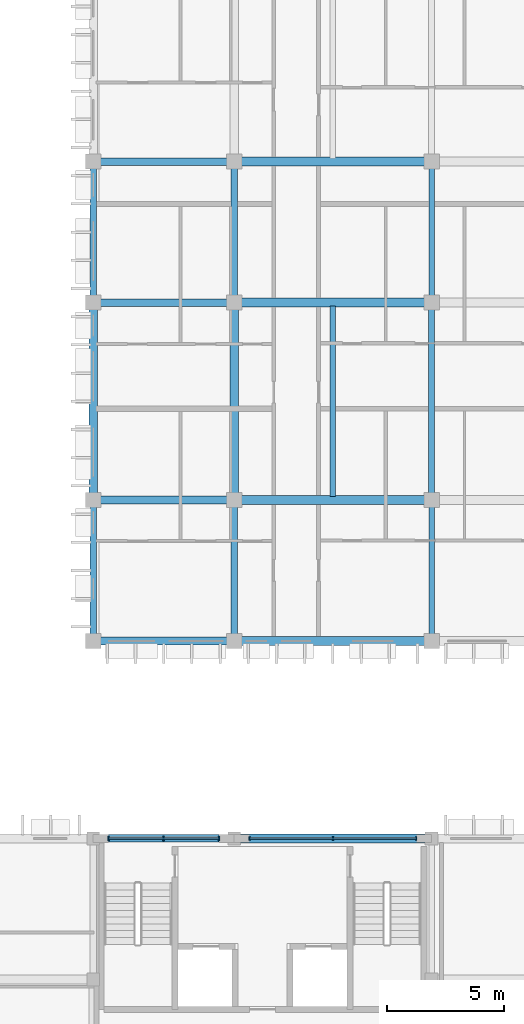
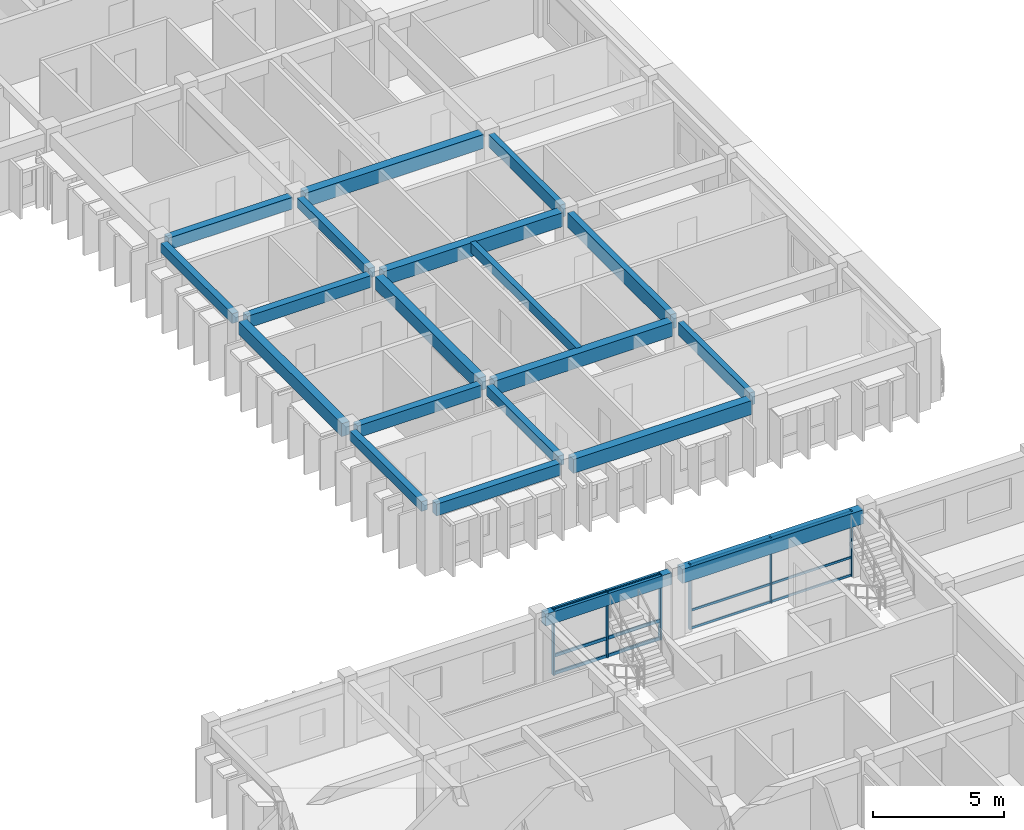
# One storey, part 29 of 101: 20 beams, 12 members, 2 elements without a shape of their own.
"""IFC4 building model written with IfcOpenShell, lengths in metres."""

from ifc_helpers import new_model, si_unit, direction, frame, origin, origin_2d, place, context, subcontext, project, spatial, rectangle, extrude, material, material_profile, profile_set, type_object, element, aggregate, save


model = new_model("IFC4")

# Units and contexts
model_context = context("Model", 3, precision=1e-05, world=origin(), true_north=direction((0.0, 1.0)))
body_context = subcontext(model_context, "Body", "Model", "MODEL_VIEW")
ifc_project = project(units=[si_unit("LENGTHUNIT", "METRE"), si_unit("AREAUNIT", "SQUARE_METRE"), si_unit("VOLUMEUNIT", "CUBIC_METRE"), si_unit("PLANEANGLEUNIT", "RADIAN"), si_unit("MASSUNIT", "GRAM", prefix="KILO"), si_unit("THERMODYNAMICTEMPERATUREUNIT", "KELVIN")], contexts=[model_context])

# Site, building, storey
site_placement = place(None, origin())
site = spatial("IfcSite", under=ifc_project, at=site_placement, CompositionType="ELEMENT")
building_placement = place(site_placement, origin())
building = spatial("IfcBuilding", under=site, at=building_placement, Name="Thalorik Housing Commons", CompositionType="ELEMENT")
storey_placement = place(building_placement, frame((0.0, 0.0, 8.10009765625)))
storey = spatial("IfcBuildingStorey", under=building, at=storey_placement, Name="L02", CompositionType="ELEMENT", Elevation=8.10009765625)

# Curtain wall, members
ifc_material_1 = material(Name="Anodised aluminium and solar-control low-E glass", Category="aluminium")
curtain_wall_type = type_object("IfcCurtainWallType", Name="ARC-CW-CORE", PredefinedType="USERDEFINED", material=ifc_material_1)
curtain_wall_1_placement = place(storey_placement, origin())
curtain_wall_1 = element("IfcCurtainWall", 1, at=curtain_wall_1_placement, inside=storey, type_object=curtain_wall_type, Name="L02 Curtain Wall CW-CORE-L02-D-180", ObjectType="CURTAIN WALL", PredefinedType="USERDEFINED")
ifc_material_2 = material(Name="Anodised aluminium 6063-T6", Category="aluminium")
ifc_material_profile_1 = material_profile(ifc_material_2, rectangle(XDim=0.054931640625, YDim=0.139892578125, at=origin_2d()), Name="ALU MUL 55x140", Category="aluminium")
ifc_profile_set_1 = profile_set([ifc_material_profile_1], Name="Anodised aluminium 6063-T6")
member_type_1 = type_object("IfcMemberType", Name="ARC-CW-MUL-55x140", PredefinedType="MULLION", material=ifc_profile_set_1)
member_1_placement = place(storey_placement, frame((166.14990234375, 72.0, 0.0), z_axis=(0.0, 0.0, 1.0), x_axis=(-1.0, 0.0, 0.0)))
member_1 = element("IfcMember", 2, at=member_1_placement, type_object=member_type_1, Name="CW-CORE-L02-D-180 Mullion 1", PredefinedType="MULLION", context=body_context, shape_type="SweptSolid", body=[
    extrude(rectangle(XDim=0.054931640625, YDim=0.139892578125, at=origin_2d()), origin(), (0.0, 0.0, 1.0), 3.039794921875),
])
member_2_placement = place(storey_placement, frame((162.60009765625, 72.0, 0.0), z_axis=(0.0, 0.0, 1.0), x_axis=(-1.0, 0.0, 0.0)))
member_2 = element("IfcMember", 3, at=member_2_placement, type_object=member_type_1, Name="CW-CORE-L02-D-180 Mullion 2", PredefinedType="MULLION", context=body_context, shape_type="SweptSolid", body=[
    extrude(rectangle(XDim=0.054931640625, YDim=0.139892578125, at=origin_2d()), origin(), (0.0, 0.0, 1.0), 3.039794921875),
])
member_3_placement = place(storey_placement, frame((159.050048828125, 72.0, 0.0), z_axis=(0.0, 0.0, 1.0), x_axis=(-1.0, 0.0, 0.0)))
member_3 = element("IfcMember", 4, at=member_3_placement, type_object=member_type_1, Name="CW-CORE-L02-D-180 Mullion 3", PredefinedType="MULLION", context=body_context, shape_type="SweptSolid", body=[
    extrude(rectangle(XDim=0.054931640625, YDim=0.139892578125, at=origin_2d()), origin(), (0.0, 0.0, 1.0), 3.039794921875),
])

curtain_wall_2_placement = place(storey_placement, origin())
curtain_wall_2 = element("IfcCurtainWall", 5, at=curtain_wall_2_placement, inside=storey, type_object=curtain_wall_type, Name="L02 Curtain Wall CW-CORE-L02-D-181", ObjectType="CURTAIN WALL", PredefinedType="USERDEFINED")
ifc_material_profile_2 = material_profile(ifc_material_2, rectangle(XDim=0.06494140625, YDim=0.179931640625, at=origin_2d()), Name="ALU MUL 65x180", Category="aluminium")
ifc_profile_set_2 = profile_set([ifc_material_profile_2], Name="Anodised aluminium 6063-T6")
member_type_2 = type_object("IfcMemberType", Name="ARC-CW-MUL-65x180", PredefinedType="MULLION", material=ifc_profile_set_2)
member_4_placement = place(storey_placement, frame((157.75, 72.0, 0.0), z_axis=(0.0, 0.0, 1.0), x_axis=(-1.0, 0.0, 0.0)))
member_4 = element("IfcMember", 6, at=member_4_placement, type_object=member_type_2, Name="CW-CORE-L02-D-181 Mullion 1", PredefinedType="MULLION", context=body_context, shape_type="SweptSolid", body=[
    extrude(rectangle(XDim=0.06494140625, YDim=0.179931640625, at=origin_2d()), origin(), (0.0, 0.0, 1.0), 3.039794921875),
])
member_5_placement = place(storey_placement, frame((155.39990234375, 72.0, 0.0), z_axis=(0.0, 0.0, 1.0), x_axis=(-1.0, 0.0, 0.0)))
member_5 = element("IfcMember", 7, at=member_5_placement, type_object=member_type_2, Name="CW-CORE-L02-D-181 Mullion 2", PredefinedType="MULLION", context=body_context, shape_type="SweptSolid", body=[
    extrude(rectangle(XDim=0.06494140625, YDim=0.179931640625, at=origin_2d()), origin(), (0.0, 0.0, 1.0), 3.039794921875),
])
member_6_placement = place(storey_placement, frame((153.050048828125, 72.0, 0.0), z_axis=(0.0, 0.0, 1.0), x_axis=(-1.0, 0.0, 0.0)))
member_6 = element("IfcMember", 8, at=member_6_placement, type_object=member_type_2, Name="CW-CORE-L02-D-181 Mullion 3", PredefinedType="MULLION", context=body_context, shape_type="SweptSolid", body=[
    extrude(rectangle(XDim=0.06494140625, YDim=0.179931640625, at=origin_2d()), origin(), (0.0, 0.0, 1.0), 3.039794921875),
])

# Member
ifc_material_profile_3 = material_profile(ifc_material_2, rectangle(XDim=0.054931640625, YDim=0.10498046875, at=origin_2d()), Name="ALU TRN 55x105", Category="aluminium")
ifc_profile_set_3 = profile_set([ifc_material_profile_3], Name="Anodised aluminium 6063-T6")
member_type_3 = type_object("IfcMemberType", Name="ARC-CW-TRN-55x105", PredefinedType="USERDEFINED", material=ifc_profile_set_3)
member_7_placement = place(storey_placement, frame((166.14990234375, 72.0, 0.054931640625), z_axis=(-1.0, 0.0, 0.0), x_axis=(0.0, -1.0, 0.0)))
member_7 = element("IfcMember", 9, at=member_7_placement, type_object=member_type_3, Name="CW-CORE-L02-D-180 Transom 1", ObjectType="TRANSOM", PredefinedType="USERDEFINED", context=body_context, shape_type="SweptSolid", body=[
    extrude(rectangle(XDim=0.054931640625, YDim=0.10498046875, at=origin_2d()), origin(), (0.0, 0.0, 1.0), 7.099853515625),
])

member_8_placement = place(storey_placement, frame((166.14990234375, 72.0, 0.8798828125), z_axis=(-1.0, 0.0, 0.0), x_axis=(0.0, -1.0, 0.0)))
member_8 = element("IfcMember", 10, at=member_8_placement, type_object=member_type_3, Name="CW-CORE-L02-D-180 Transom 2", ObjectType="TRANSOM", PredefinedType="USERDEFINED", context=body_context, shape_type="SweptSolid", body=[
    extrude(rectangle(XDim=0.054931640625, YDim=0.10498046875, at=origin_2d()), origin(), (0.0, 0.0, 1.0), 7.099853515625),
])

member_9_placement = place(storey_placement, frame((166.14990234375, 72.0, 2.98486328125), z_axis=(-1.0, 0.0, 0.0), x_axis=(0.0, -1.0, 0.0)))
member_9 = element("IfcMember", 11, at=member_9_placement, type_object=member_type_3, Name="CW-CORE-L02-D-180 Transom 3", ObjectType="TRANSOM", PredefinedType="USERDEFINED", context=body_context, shape_type="SweptSolid", body=[
    extrude(rectangle(XDim=0.054931640625, YDim=0.10498046875, at=origin_2d()), origin(), (0.0, 0.0, 1.0), 7.099853515625),
])

aggregate(curtain_wall_1, [member_1, member_2, member_3, member_7, member_8, member_9])

ifc_material_profile_4 = material_profile(ifc_material_2, rectangle(XDim=0.06494140625, YDim=0.14990234375, at=origin_2d()), Name="ALU TRN 65x150", Category="aluminium")
ifc_profile_set_4 = profile_set([ifc_material_profile_4], Name="Anodised aluminium 6063-T6")
member_type_4 = type_object("IfcMemberType", Name="ARC-CW-TRN-65x150", PredefinedType="USERDEFINED", material=ifc_profile_set_4)
member_10_placement = place(storey_placement, frame((157.75, 72.0, 0.054931640625), z_axis=(-1.0, 0.0, 0.0), x_axis=(0.0, -1.0, 0.0)))
member_10 = element("IfcMember", 12, at=member_10_placement, type_object=member_type_4, Name="CW-CORE-L02-D-181 Transom 1", ObjectType="TRANSOM", PredefinedType="USERDEFINED", context=body_context, shape_type="SweptSolid", body=[
    extrude(rectangle(XDim=0.06494140625, YDim=0.14990234375, at=origin_2d()), origin(), (0.0, 0.0, 1.0), 4.699951171875),
])

member_11_placement = place(storey_placement, frame((157.75, 72.0, 0.8798828125), z_axis=(-1.0, 0.0, 0.0), x_axis=(0.0, -1.0, 0.0)))
member_11 = element("IfcMember", 13, at=member_11_placement, type_object=member_type_4, Name="CW-CORE-L02-D-181 Transom 2", ObjectType="TRANSOM", PredefinedType="USERDEFINED", context=body_context, shape_type="SweptSolid", body=[
    extrude(rectangle(XDim=0.06494140625, YDim=0.14990234375, at=origin_2d()), origin(), (0.0, 0.0, 1.0), 4.699951171875),
])

member_12_placement = place(storey_placement, frame((157.75, 72.0, 2.98486328125), z_axis=(-1.0, 0.0, 0.0), x_axis=(0.0, -1.0, 0.0)))
member_12 = element("IfcMember", 14, at=member_12_placement, type_object=member_type_4, Name="CW-CORE-L02-D-181 Transom 3", ObjectType="TRANSOM", PredefinedType="USERDEFINED", context=body_context, shape_type="SweptSolid", body=[
    extrude(rectangle(XDim=0.06494140625, YDim=0.14990234375, at=origin_2d()), origin(), (0.0, 0.0, 1.0), 4.699951171875),
])

aggregate(curtain_wall_2, [member_4, member_5, member_6, member_10, member_11, member_12])

# Beams
ifc_material_3 = material(Name="Precast concrete C40/50", Category="concrete")
ifc_material_profile_5 = material_profile(ifc_material_3, rectangle(XDim=0.280029296875, YDim=0.449951171875, at=origin_2d()), Name="PC 280x450", Category="concrete")
ifc_profile_set_5 = profile_set([ifc_material_profile_5], Name="Precast concrete C40/50")
beam_type_1 = type_object("IfcBeamType", Name="STR-BM-PC280x450", PredefinedType="BEAM", material=ifc_profile_set_5)
for number, where, z_axis, x_axis, name in (
    (15, (152.39990234375, 80.675048828125, 2.81494140625), (0.0, 1.0, 0.0), (-1.0, 0.0, 0.0), "L02 Beam B-450"),
    (16, (152.39990234375, 95.074951171875, 2.81494140625), (0.0, 1.0, 0.0), (-1.0, 0.0, 0.0), "L02 Beam B-450"),
    (17, (158.39990234375, 80.675048828125, 2.81494140625), (0.0, 1.0, 0.0), (-1.0, 0.0, 0.0), "L02 Beam B-450"),
    (18, (158.39990234375, 95.074951171875, 2.81494140625), (0.0, 1.0, 0.0), (-1.0, 0.0, 0.0), "L02 Beam B-450"),
):
    element("IfcBeam", number, at=place(storey_placement, frame(where, z_axis=z_axis, x_axis=x_axis)), inside=storey, type_object=beam_type_1, Name=name, PredefinedType="BEAM", context=body_context, shape_type="SweptSolid", body=[
        extrude(rectangle(XDim=0.280029296875, YDim=0.449951171875, at=origin_2d()), origin(), (0.0, 0.0, 1.0), 5.449951171875),
    ])
ifc_material_profile_6 = material_profile(ifc_material_3, rectangle(XDim=0.320068359375, YDim=0.550048828125, at=origin_2d()), Name="PC 320x550", Category="concrete")
ifc_profile_set_6 = profile_set([ifc_material_profile_6], Name="Precast concrete C40/50")
beam_type_2 = type_object("IfcBeamType", Name="STR-BM-PC320x550", PredefinedType="BEAM", material=ifc_profile_set_6)
beam_1_placement = place(storey_placement, frame((152.625, 72.0, 2.764892578125), z_axis=(1.0, 0.0, 0.0), x_axis=(0.0, 1.0, 0.0)))
element("IfcBeam", 19, at=beam_1_placement, inside=storey, type_object=beam_type_2, Name="L02 Beam B-550", PredefinedType="BEAM", context=body_context, shape_type="SweptSolid", body=[
    extrude(rectangle(XDim=0.320068359375, YDim=0.550048828125, at=origin_2d()), origin(), (0.0, 0.0, 1.0), 5.550048828125),
])
for number, where, z_axis, x_axis, name in (
    (20, (152.675048828125, 80.39990234375, 2.764892578125), (1.0, 0.0, 0.0), (0.0, 1.0, 0.0), "L02 Beam B-550"),
    (21, (152.675048828125, 86.39990234375, 2.764892578125), (1.0, 0.0, 0.0), (0.0, 1.0, 0.0), "L02 Beam B-550"),
    (22, (152.675048828125, 94.800048828125, 2.764892578125), (1.0, 0.0, 0.0), (0.0, 1.0, 0.0), "L02 Beam B-550"),
    (23, (152.675048828125, 100.800048828125, 2.764892578125), (1.0, 0.0, 0.0), (0.0, 1.0, 0.0), "L02 Beam B-550"),
):
    element("IfcBeam", number, at=place(storey_placement, frame(where, z_axis=z_axis, x_axis=x_axis)), inside=storey, type_object=beam_type_2, Name=name, PredefinedType="BEAM", context=body_context, shape_type="SweptSolid", body=[
        extrude(rectangle(XDim=0.320068359375, YDim=0.550048828125, at=origin_2d()), origin(), (0.0, 0.0, 1.0), 5.449951171875),
    ])
ifc_material_profile_7 = material_profile(ifc_material_3, rectangle(XDim=0.35009765625, YDim=0.60009765625, at=origin_2d()), Name="PC 350x600", Category="concrete")
ifc_profile_set_7 = profile_set([ifc_material_profile_7], Name="Precast concrete C40/50")
beam_type_3 = type_object("IfcBeamType", Name="STR-BM-PC350x600", PredefinedType="BEAM", material=ifc_profile_set_7)
for number, where, z_axis, x_axis, name in (
    (24, (152.39990234375, 86.675048828125, 2.739990234375), (0.0, 1.0, 0.0), (-1.0, 0.0, 0.0), "L02 Beam B-600"),
    (25, (158.39990234375, 86.675048828125, 2.739990234375), (0.0, 1.0, 0.0), (-1.0, 0.0, 0.0), "L02 Beam B-600"),
):
    element("IfcBeam", number, at=place(storey_placement, frame(where, z_axis=z_axis, x_axis=x_axis)), inside=storey, type_object=beam_type_3, Name=name, PredefinedType="BEAM", context=body_context, shape_type="SweptSolid", body=[
        extrude(rectangle(XDim=0.35009765625, YDim=0.60009765625, at=origin_2d()), origin(), (0.0, 0.0, 1.0), 7.849853515625),
    ])
ifc_material_profile_8 = material_profile(ifc_material_3, rectangle(XDim=0.3798828125, YDim=0.64990234375, at=origin_2d()), Name="PC 380x650", Category="concrete")
ifc_profile_set_8 = profile_set([ifc_material_profile_8], Name="Precast concrete C40/50")
beam_type_4 = type_object("IfcBeamType", Name="STR-BM-PC380x650", PredefinedType="BEAM", material=ifc_profile_set_8)
beam_2_placement = place(storey_placement, frame((158.625, 72.0, 2.71484375), z_axis=(1.0, 0.0, 0.0), x_axis=(0.0, 1.0, 0.0)))
element("IfcBeam", 26, at=beam_2_placement, inside=storey, type_object=beam_type_4, Name="L02 Beam B-650", PredefinedType="BEAM", context=body_context, shape_type="SweptSolid", body=[
    extrude(rectangle(XDim=0.3798828125, YDim=0.64990234375, at=origin_2d()), origin(), (0.0, 0.0, 1.0), 7.949951171875),
])
for number, where, z_axis, x_axis, name in (
    (27, (158.675048828125, 80.39990234375, 2.71484375), (1.0, 0.0, 0.0), (0.0, 1.0, 0.0), "L02 Beam B-650"),
    (28, (158.675048828125, 86.39990234375, 2.71484375), (1.0, 0.0, 0.0), (0.0, 1.0, 0.0), "L02 Beam B-650"),
    (29, (158.675048828125, 94.800048828125, 2.71484375), (1.0, 0.0, 0.0), (0.0, 1.0, 0.0), "L02 Beam B-650"),
    (30, (158.675048828125, 100.800048828125, 2.71484375), (1.0, 0.0, 0.0), (0.0, 1.0, 0.0), "L02 Beam B-650"),
):
    element("IfcBeam", number, at=place(storey_placement, frame(where, z_axis=z_axis, x_axis=x_axis)), inside=storey, type_object=beam_type_4, Name=name, PredefinedType="BEAM", context=body_context, shape_type="SweptSolid", body=[
        extrude(rectangle(XDim=0.3798828125, YDim=0.64990234375, at=origin_2d()), origin(), (0.0, 0.0, 1.0), 7.849853515625),
    ])
ifc_material_profile_9 = material_profile(ifc_material_3, rectangle(XDim=0.239990234375, YDim=0.43994140625, at=origin_2d()), Name="PC JST 240x440", Category="concrete")
ifc_profile_set_9 = profile_set([ifc_material_profile_9], Name="Precast concrete C40/50")
beam_type_5 = type_object("IfcBeamType", Name="STR-JST-PC240x440", PredefinedType="JOIST", material=ifc_profile_set_9)
beam_3_placement = place(storey_placement, frame((162.60009765625, 86.5400390625, 2.81982421875), z_axis=(0.0, 1.0, 0.0), x_axis=(-1.0, 0.0, 0.0)))
element("IfcBeam", 31, at=beam_3_placement, inside=storey, type_object=beam_type_5, Name="L02 Beam J-440", PredefinedType="JOIST", context=body_context, shape_type="SweptSolid", body=[
    extrude(rectangle(XDim=0.239990234375, YDim=0.43994140625, at=origin_2d()), origin(), (0.0, 0.0, 1.0), 8.119873046875),
])
ifc_material_profile_10 = material_profile(ifc_material_3, rectangle(XDim=0.239990234375, YDim=0.580078125, at=origin_2d()), Name="PC SP 240x580", Category="concrete")
ifc_profile_set_10 = profile_set([ifc_material_profile_10], Name="Precast concrete C40/50")
beam_type_6 = type_object("IfcBeamType", Name="STR-SP-PC240x580", PredefinedType="SPANDREL", material=ifc_profile_set_10)
for number, where, z_axis, x_axis, name in (
    (32, (166.800048828125, 80.675048828125, 2.75), (0.0, 1.0, 0.0), (-1.0, 0.0, 0.0), "L02 Beam B-450"),
    (33, (166.800048828125, 95.074951171875, 2.75), (0.0, 1.0, 0.0), (-1.0, 0.0, 0.0), "L02 Beam B-450"),
):
    element("IfcBeam", number, at=place(storey_placement, frame(where, z_axis=z_axis, x_axis=x_axis)), inside=storey, type_object=beam_type_6, Name=name, PredefinedType="SPANDREL", context=body_context, shape_type="SweptSolid", body=[
        extrude(rectangle(XDim=0.239990234375, YDim=0.580078125, at=origin_2d()), origin(), (0.0, 0.0, 1.0), 5.449951171875),
    ])
ifc_material_profile_11 = material_profile(ifc_material_3, rectangle(XDim=0.260009765625, YDim=0.679931640625, at=origin_2d()), Name="PC SP 260x680", Category="concrete")
ifc_profile_set_11 = profile_set([ifc_material_profile_11], Name="Precast concrete C40/50")
beam_type_7 = type_object("IfcBeamType", Name="STR-SP-PC260x680", PredefinedType="SPANDREL", material=ifc_profile_set_11)
beam_4_placement = place(storey_placement, frame((166.800048828125, 86.675048828125, 2.699951171875), z_axis=(0.0, 1.0, 0.0), x_axis=(-1.0, 0.0, 0.0)))
element("IfcBeam", 34, at=beam_4_placement, inside=storey, type_object=beam_type_7, Name="L02 Beam B-600", PredefinedType="SPANDREL", context=body_context, shape_type="SweptSolid", body=[
    extrude(rectangle(XDim=0.260009765625, YDim=0.679931640625, at=origin_2d()), origin(), (0.0, 0.0, 1.0), 7.849853515625),
])

save(model, "model.ifc")
